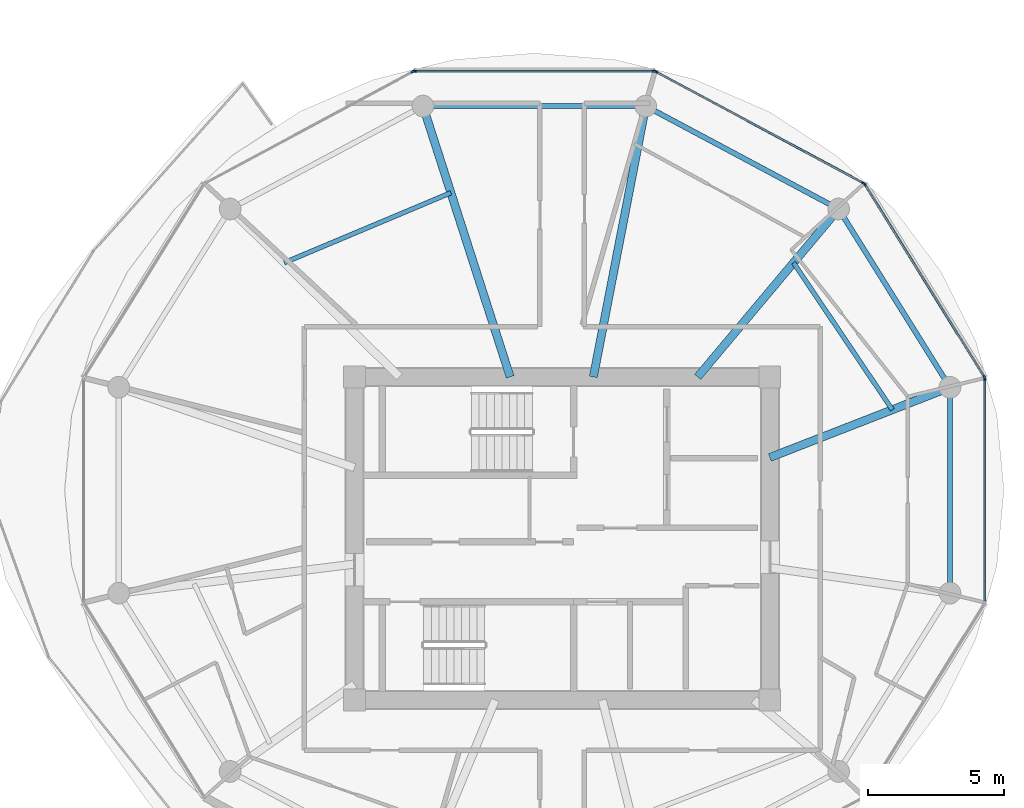
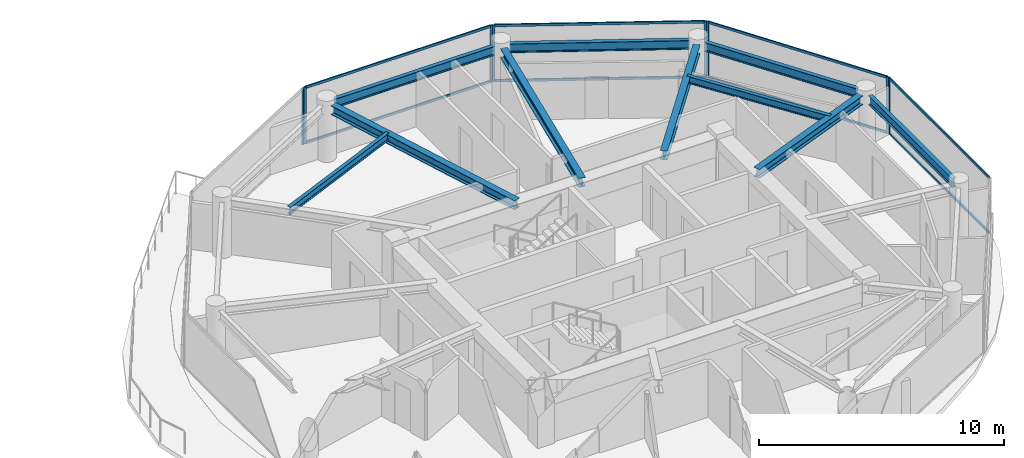
# One storey, part 11 of 22: 16 members, 10 beams, 5 elements without a shape of their own.
"""IFC4 building model written with IfcOpenShell, lengths in metres."""

from ifc_helpers import new_model, si_unit, direction, frame, origin, origin_2d, place, context, subcontext, project, spatial, rectangle, i_section, extrude, source, transform, mapped, material, layer, layer_set, material_profile, profile_set, type_object, type_shapes, element, aggregate, save


model = new_model("IFC4")

# Units and contexts
model_context = context("Model", 3, precision=1e-05, world=origin(), true_north=direction((0.0, 1.0)))
body_context = subcontext(model_context, "Body", "Model", "MODEL_VIEW")
ifc_project = project(units=[si_unit("LENGTHUNIT", "METRE"), si_unit("AREAUNIT", "SQUARE_METRE"), si_unit("VOLUMEUNIT", "CUBIC_METRE"), si_unit("PLANEANGLEUNIT", "RADIAN"), si_unit("MASSUNIT", "GRAM", prefix="KILO")], contexts=[model_context])

# Site, building, storey
site_placement = place(None, origin())
site = spatial("IfcSite", under=ifc_project, at=site_placement, CompositionType="ELEMENT")
building_placement = place(site_placement, origin())
building = spatial("IfcBuilding", under=site, at=building_placement, Name="Norrkilde Senior Care Towers", CompositionType="ELEMENT")
storey_placement = place(building_placement, frame((0.0, 0.0, 137.35009765625)))
storey = spatial("IfcBuildingStorey", under=building, at=storey_placement, Name="L42", CompositionType="ELEMENT", Elevation=137.35009765625)

# Beams
ifc_material_1 = material(Name="Steel S355", Category="steel")
ifc_material_profile_1 = material_profile(ifc_material_1, i_section(OverallWidth=0.18994140625, OverallDepth=0.449951171875, WebThickness=0.009521484375, FlangeThickness=0.0146484375, FilletRadius=0.02099609375, at=origin_2d()), Name="IPE 450")
ifc_profile_set_1 = profile_set([ifc_material_profile_1], Name="Steel S355")
beam_type_1 = type_object("IfcBeamType", Name="Perimeter Ring Spandrel Z3 IPE450", PredefinedType="SPANDREL", material=ifc_profile_set_1)
shared_shape_1 = source(origin(), body_context, "Body", "SweptSolid", [
    extrude(i_section(OverallWidth=0.18994140625, OverallDepth=0.449951171875, WebThickness=0.009521484375, FlangeThickness=0.0146484375, FilletRadius=0.02099609375, at=origin_2d()), origin(), (0.0, 0.0, 1.0), 7.0234375),
])
beam_1_placement = place(storey_placement, frame((42.09423828125, 5.872314453125, 2.5849609375), z_axis=(-0.529789577822, 0.848129119433, 0.0), x_axis=(-0.848129119433, -0.529789577822, 0.0)))
element("IfcBeam", 1, at=beam_1_placement, inside=storey, type_object=beam_type_1, Name="L42 Drum E Perimeter Spandrel 01", PredefinedType="SPANDREL", context=body_context, shape_type="MappedRepresentation", body=[
    mapped(shared_shape_1, transform((0.0, 0.0, 0.0), x_axis=(1.0, 0.0, 0.0), y_axis=(0.0, 1.0, 0.0), z_axis=(0.0, 0.0, 1.0), scale=1.0)),
])
shared_shape_2 = source(origin(), body_context, "Body", "SweptSolid", [
    extrude(i_section(OverallWidth=0.18994140625, OverallDepth=0.449951171875, WebThickness=0.009521484375, FlangeThickness=0.0146484375, FilletRadius=0.02099609375, at=origin_2d()), origin(), (0.0, 0.0, 1.0), 7.333740234375),
])
beam_2_placement = place(storey_placement, frame((37.864990234375, 12.303955078125, 2.5849609375), z_axis=(-0.882247866069, 0.470785198172, 0.0), x_axis=(-0.470785198172, -0.882247866069, 0.0)))
element("IfcBeam", 2, at=beam_2_placement, inside=storey, type_object=beam_type_1, Name="L42 Drum E Perimeter Spandrel 02", PredefinedType="SPANDREL", context=body_context, shape_type="MappedRepresentation", body=[
    mapped(shared_shape_2, transform((0.0, 0.0, 0.0), x_axis=(1.0, 0.0, 0.0), y_axis=(0.0, 1.0, 0.0), z_axis=(0.0, 0.0, 1.0), scale=1.0)),
])
shared_shape_3 = source(origin(), body_context, "Body", "SweptSolid", [
    extrude(i_section(OverallWidth=0.18994140625, OverallDepth=0.449951171875, WebThickness=0.009521484375, FlangeThickness=0.0146484375, FilletRadius=0.02099609375, at=origin_2d()), origin(), (0.0, 0.0, 1.0), 7.484619140625),
])
beam_3_placement = place(storey_placement, frame((30.71728515625, 15.92626953125, 2.5849609375), z_axis=(-1.0, 0.0, 0.0), x_axis=(0.0, -1.0, 0.0)))
element("IfcBeam", 3, at=beam_3_placement, inside=storey, type_object=beam_type_1, Name="L42 Drum E Perimeter Spandrel 03", PredefinedType="SPANDREL", context=body_context, shape_type="MappedRepresentation", body=[
    mapped(shared_shape_3, transform((0.0, 0.0, 0.0), x_axis=(1.0, 0.0, 0.0), y_axis=(0.0, 1.0, 0.0), z_axis=(0.0, 0.0, 1.0), scale=1.0)),
])
ifc_material_profile_2 = material_profile(ifc_material_1, i_section(OverallWidth=0.300048828125, OverallDepth=0.449951171875, WebThickness=0.013916015625, FlangeThickness=0.02587890625, FilletRadius=0.027099609375, at=origin_2d()), Name="HEB 450")
ifc_profile_set_2 = profile_set([ifc_material_profile_2], Name="Steel S355")
beam_type_2 = type_object("IfcBeamType", Name="Radial Floor Beam Z3 HEB450", PredefinedType="BEAM", material=ifc_profile_set_2)
shared_shape_4 = source(origin(), body_context, "Body", "SweptSolid", [
    extrude(i_section(OverallWidth=0.300048828125, OverallDepth=0.449951171875, WebThickness=0.013916015625, FlangeThickness=0.02587890625, FilletRadius=0.027099609375, at=origin_2d()), origin(), (0.0, 0.0, 1.0), 10.120361328125),
])
beam_4_placement = place(storey_placement, frame((26.08447265625, 5.949951171875, 2.5849609375), z_axis=(-0.306440973744, 0.951889662519, 0.0), x_axis=(-0.951889662519, -0.306440973744, 0.0)))
element("IfcBeam", 4, at=beam_4_placement, inside=storey, type_object=beam_type_2, Name="L42 Drum E Radial Floor Beam 04", PredefinedType="BEAM", context=body_context, shape_type="MappedRepresentation", body=[
    mapped(shared_shape_4, transform((0.0, 0.0, 0.0), x_axis=(1.0, 0.0, 0.0), y_axis=(0.0, 1.0, 0.0), z_axis=(0.0, 0.0, 1.0), scale=1.0)),
])
shared_shape_5 = source(origin(), body_context, "Body", "SweptSolid", [
    extrude(i_section(OverallWidth=0.300048828125, OverallDepth=0.449951171875, WebThickness=0.013916015625, FlangeThickness=0.02587890625, FilletRadius=0.027099609375, at=origin_2d()), origin(), (0.0, 0.0, 1.0), 9.80078125),
])
beam_5_placement = place(storey_placement, frame((29.149658203125, 5.949951171875, 2.5849609375), z_axis=(0.189716727661, 0.98183886827, 0.0), x_axis=(-0.98183886827, 0.189716727661, 0.0)))
element("IfcBeam", 5, at=beam_5_placement, inside=storey, type_object=beam_type_2, Name="L42 Drum E Radial Floor Beam 03", PredefinedType="BEAM", context=body_context, shape_type="MappedRepresentation", body=[
    mapped(shared_shape_5, transform((0.0, 0.0, 0.0), x_axis=(1.0, 0.0, 0.0), y_axis=(0.0, 1.0, 0.0), z_axis=(0.0, 0.0, 1.0), scale=1.0)),
])
shared_shape_6 = source(origin(), body_context, "Body", "SweptSolid", [
    extrude(i_section(OverallWidth=0.300048828125, OverallDepth=0.449951171875, WebThickness=0.013916015625, FlangeThickness=0.02587890625, FilletRadius=0.027099609375, at=origin_2d()), origin(), (0.0, 0.0, 1.0), 7.71337890625),
])
beam_6_placement = place(storey_placement, frame((32.992919921875, 5.949951171875, 2.5849609375), z_axis=(0.642808239864, 0.766027131872, 0.0), x_axis=(-0.766027131872, 0.642808239864, 0.0)))
element("IfcBeam", 6, at=beam_6_placement, inside=storey, type_object=beam_type_2, Name="L42 Drum E Radial Floor Beam 02", PredefinedType="BEAM", context=body_context, shape_type="MappedRepresentation", body=[
    mapped(shared_shape_6, transform((0.0, 0.0, 0.0), x_axis=(1.0, 0.0, 0.0), y_axis=(0.0, 1.0, 0.0), z_axis=(0.0, 0.0, 1.0), scale=1.0)),
])
shared_shape_7 = source(origin(), body_context, "Body", "SweptSolid", [
    extrude(i_section(OverallWidth=0.18994140625, OverallDepth=0.449951171875, WebThickness=0.009521484375, FlangeThickness=0.0146484375, FilletRadius=0.02099609375, at=origin_2d()), origin(), (0.0, 0.0, 1.0), 6.86328125),
])
type_shapes(beam_type_1, [shared_shape_1, shared_shape_2, shared_shape_3, shared_shape_7])
beam_7_placement = place(storey_placement, frame((42.284912109375, -1.65625, 2.5849609375), z_axis=(0.0, 1.0, 0.0), x_axis=(-1.0, 0.0, 0.0)))
element("IfcBeam", 7, at=beam_7_placement, inside=storey, type_object=beam_type_1, Name="L42 Drum E Perimeter Spandrel 12", PredefinedType="SPANDREL", context=body_context, shape_type="MappedRepresentation", body=[
    mapped(shared_shape_7, transform((0.0, 0.0, 0.0), x_axis=(1.0, 0.0, 0.0), y_axis=(0.0, 1.0, 0.0), z_axis=(0.0, 0.0, 1.0), scale=1.0)),
])
shared_shape_8 = source(origin(), body_context, "Body", "SweptSolid", [
    extrude(i_section(OverallWidth=0.300048828125, OverallDepth=0.449951171875, WebThickness=0.013916015625, FlangeThickness=0.02587890625, FilletRadius=0.027099609375, at=origin_2d()), origin(), (0.0, 0.0, 1.0), 6.760986328125),
])
type_shapes(beam_type_2, [shared_shape_4, shared_shape_5, shared_shape_6, shared_shape_8])
beam_8_placement = place(storey_placement, frame((35.64990234375, 2.981201171875, 2.5849609375), z_axis=(0.931742171387, 0.363120539297, 0.0), x_axis=(-0.363120539297, 0.931742171387, 0.0)))
element("IfcBeam", 8, at=beam_8_placement, inside=storey, type_object=beam_type_2, Name="L42 Drum E Radial Floor Beam 01", PredefinedType="BEAM", context=body_context, shape_type="MappedRepresentation", body=[
    mapped(shared_shape_8, transform((0.0, 0.0, 0.0), x_axis=(1.0, 0.0, 0.0), y_axis=(0.0, 1.0, 0.0), z_axis=(0.0, 0.0, 1.0), scale=1.0)),
])
ifc_material_profile_3 = material_profile(ifc_material_1, i_section(OverallWidth=0.169921875, OverallDepth=0.360107421875, WebThickness=0.008056640625, FlangeThickness=0.0126953125, FilletRadius=0.01806640625, at=origin_2d()), Name="IPE 360")
ifc_profile_set_3 = profile_set([ifc_material_profile_3], Name="Steel S355")
beam_type_3 = type_object("IfcBeamType", Name="Secondary Floor Joist IPE360", PredefinedType="JOIST", material=ifc_profile_set_3)
shared_shape_9 = source(origin(), body_context, "Body", "SweptSolid", [
    extrude(i_section(OverallWidth=0.169921875, OverallDepth=0.360107421875, WebThickness=0.008056640625, FlangeThickness=0.0126953125, FilletRadius=0.01806640625, at=origin_2d()), origin(), (0.0, 0.0, 1.0), 6.657470703125),
])
beam_9_placement = place(storey_placement, frame((23.900390625, 12.73388671875, 2.6298828125), z_axis=(-0.921958799252, -0.387287971, 0.0), x_axis=(0.387287971, -0.921958799252, 0.0)))
element("IfcBeam", 9, at=beam_9_placement, inside=storey, type_object=beam_type_3, Name="L42 Drum E Secondary Floor Joist 2", PredefinedType="JOIST", context=body_context, shape_type="MappedRepresentation", body=[
    mapped(shared_shape_9, transform((0.0, 0.0, 0.0), x_axis=(1.0, 0.0, 0.0), y_axis=(0.0, 1.0, 0.0), z_axis=(0.0, 0.0, 1.0), scale=1.0)),
])
shared_shape_10 = source(origin(), body_context, "Body", "SweptSolid", [
    extrude(i_section(OverallWidth=0.169921875, OverallDepth=0.360107421875, WebThickness=0.008056640625, FlangeThickness=0.0126953125, FilletRadius=0.01806640625, at=origin_2d()), origin(), (0.0, 0.0, 1.0), 6.525390625),
])
type_shapes(beam_type_3, [shared_shape_9, shared_shape_10])
beam_10_placement = place(storey_placement, frame((40.161865234375, 4.739501953125, 2.6298828125), z_axis=(-0.55779590102, 0.829978152005, 0.0), x_axis=(-0.829978152005, -0.55779590102, 0.0)))
element("IfcBeam", 10, at=beam_10_placement, inside=storey, type_object=beam_type_3, Name="L42 Drum E Secondary Floor Joist 1", PredefinedType="JOIST", context=body_context, shape_type="MappedRepresentation", body=[
    mapped(shared_shape_10, transform((0.0, 0.0, 0.0), x_axis=(1.0, 0.0, 0.0), y_axis=(0.0, 1.0, 0.0), z_axis=(0.0, 0.0, 1.0), scale=1.0)),
])

# Curtain wall, members
ifc_material_2 = material(Name="Triple Low-E Insulated Glazing", Category="glass")
ifc_layer = layer(ifc_material_2, 0.18994140625)
ifc_layer_set = layer_set([ifc_layer], Name="Triple Low-E Insulated Glazing")
curtain_wall_type = type_object("IfcCurtainWallType", Name="CW4 Zone 3 Senior Residence Curtain Wall", PredefinedType="NOTDEFINED", material=ifc_layer_set)
curtain_wall_1_placement = place(storey_placement, origin())
curtain_wall_1 = element("IfcCurtainWall", 11, at=curtain_wall_1_placement, inside=storey, type_object=curtain_wall_type, Name="L42 Drum E Curtain Wall 00", PredefinedType="NOTDEFINED")
ifc_material_3 = material(Name="Anodised Aluminium", Category="aluminium")
ifc_material_profile_4 = material_profile(ifc_material_3, rectangle(XDim=0.06005859375, YDim=0.1201171875, at=origin_2d()), Name="ALU TRAN 60x120")
ifc_profile_set_4 = profile_set([ifc_material_profile_4], Name="Anodised Aluminium")
member_type_1 = type_object("IfcMemberType", Name="Curtain Wall Transom Typical 60x120", PredefinedType="USERDEFINED", material=ifc_profile_set_4)
shared_shape_11 = source(origin(), body_context, "Body", "SweptSolid", [
    extrude(rectangle(XDim=0.06005859375, YDim=0.1201171875, at=origin_2d()), origin(), (0.0, 0.0, 1.0), 8.301513671875),
])
member_1_placement = place(storey_placement, frame((39.157470703125, 13.019775390625, 0.02978515625), z_axis=(0.527368718394, -0.849636531029, 0.0), x_axis=(0.849636531029, 0.527368718394, 0.0)))
member_1 = element("IfcMember", 12, at=member_1_placement, type_object=member_type_1, Name="CW-4 transom 1.1", ObjectType="TRANSOM", PredefinedType="USERDEFINED", context=body_context, shape_type="MappedRepresentation", body=[
    mapped(shared_shape_11, transform((0.0, 0.0, 0.0), x_axis=(1.0, 0.0, 0.0), y_axis=(0.0, 1.0, 0.0), z_axis=(0.0, 0.0, 1.0), scale=1.0)),
])
member_2_placement = place(storey_placement, frame((39.157470703125, 13.019775390625, 2.77978515625), z_axis=(0.527368718394, -0.849636531029, 0.0), x_axis=(0.849636531029, 0.527368718394, 0.0)))
member_2 = element("IfcMember", 13, at=member_2_placement, type_object=member_type_1, Name="CW-4 transom 1.2", ObjectType="TRANSOM", PredefinedType="USERDEFINED", context=body_context, shape_type="MappedRepresentation", body=[
    mapped(shared_shape_11, transform((0.0, 0.0, 0.0), x_axis=(1.0, 0.0, 0.0), y_axis=(0.0, 1.0, 0.0), z_axis=(0.0, 0.0, 1.0), scale=1.0)),
])

curtain_wall_2_placement = place(storey_placement, origin())
curtain_wall_2 = element("IfcCurtainWall", 14, at=curtain_wall_2_placement, inside=storey, type_object=curtain_wall_type, Name="L42 Drum E Curtain Wall 02", PredefinedType="NOTDEFINED")
shared_shape_12 = source(origin(), body_context, "Body", "SweptSolid", [
    extrude(rectangle(XDim=0.06005859375, YDim=0.1201171875, at=origin_2d()), origin(), (0.0, 0.0, 1.0), 8.762939453125),
])
member_3_placement = place(storey_placement, frame((22.593505859375, 17.2109375, 0.02978515625), z_axis=(1.0, 0.0, 0.0), x_axis=(0.0, 1.0, 0.0)))
member_3 = element("IfcMember", 15, at=member_3_placement, type_object=member_type_1, Name="CW-4 transom 1.1", ObjectType="TRANSOM", PredefinedType="USERDEFINED", context=body_context, shape_type="MappedRepresentation", body=[
    mapped(shared_shape_12, transform((0.0, 0.0, 0.0), x_axis=(1.0, 0.0, 0.0), y_axis=(0.0, 1.0, 0.0), z_axis=(0.0, 0.0, 1.0), scale=1.0)),
])
member_4_placement = place(storey_placement, frame((22.593505859375, 17.2109375, 2.77978515625), z_axis=(1.0, 0.0, 0.0), x_axis=(0.0, 1.0, 0.0)))
member_4 = element("IfcMember", 16, at=member_4_placement, type_object=member_type_1, Name="CW-4 transom 1.2", ObjectType="TRANSOM", PredefinedType="USERDEFINED", context=body_context, shape_type="MappedRepresentation", body=[
    mapped(shared_shape_12, transform((0.0, 0.0, 0.0), x_axis=(1.0, 0.0, 0.0), y_axis=(0.0, 1.0, 0.0), z_axis=(0.0, 0.0, 1.0), scale=1.0)),
])

curtain_wall_3_placement = place(storey_placement, origin())
curtain_wall_3 = element("IfcCurtainWall", 17, at=curtain_wall_3_placement, inside=storey, type_object=curtain_wall_type, Name="L42 Drum E Curtain Wall 01", PredefinedType="NOTDEFINED")
shared_shape_13 = source(origin(), body_context, "Body", "SweptSolid", [
    extrude(rectangle(XDim=0.06005859375, YDim=0.1201171875, at=origin_2d()), origin(), (0.0, 0.0, 1.0), 8.612060546875),
])
member_5_placement = place(storey_placement, frame((31.478759765625, 17.18017578125, 0.02978515625), z_axis=(0.881000337462, -0.473115636384, 0.0), x_axis=(0.473115636384, 0.881000337462, 0.0)))
member_5 = element("IfcMember", 18, at=member_5_placement, type_object=member_type_1, Name="CW-4 transom 1.1", ObjectType="TRANSOM", PredefinedType="USERDEFINED", context=body_context, shape_type="MappedRepresentation", body=[
    mapped(shared_shape_13, transform((0.0, 0.0, 0.0), x_axis=(1.0, 0.0, 0.0), y_axis=(0.0, 1.0, 0.0), z_axis=(0.0, 0.0, 1.0), scale=1.0)),
])
member_6_placement = place(storey_placement, frame((31.478759765625, 17.18017578125, 2.77978515625), z_axis=(0.881000337462, -0.473115636384, 0.0), x_axis=(0.473115636384, 0.881000337462, 0.0)))
member_6 = element("IfcMember", 19, at=member_6_placement, type_object=member_type_1, Name="CW-4 transom 1.2", ObjectType="TRANSOM", PredefinedType="USERDEFINED", context=body_context, shape_type="MappedRepresentation", body=[
    mapped(shared_shape_13, transform((0.0, 0.0, 0.0), x_axis=(1.0, 0.0, 0.0), y_axis=(0.0, 1.0, 0.0), z_axis=(0.0, 0.0, 1.0), scale=1.0)),
])

curtain_wall_4_placement = place(storey_placement, origin())
curtain_wall_4 = element("IfcCurtainWall", 20, at=curtain_wall_4_placement, inside=storey, type_object=curtain_wall_type, Name="L42 Drum E Curtain Wall 11", PredefinedType="NOTDEFINED")
shared_shape_14 = source(origin(), body_context, "Body", "SweptSolid", [
    extrude(rectangle(XDim=0.06005859375, YDim=0.1201171875, at=origin_2d()), origin(), (0.0, 0.0, 1.0), 8.141845703125),
])
type_shapes(member_type_1, [shared_shape_11, shared_shape_12, shared_shape_13, shared_shape_14])
member_7_placement = place(storey_placement, frame((43.569580078125, 5.84619140625, 0.02978515625), z_axis=(0.0, -1.0, 0.0), x_axis=(1.0, 0.0, 0.0)))
member_7 = element("IfcMember", 21, at=member_7_placement, type_object=member_type_1, Name="CW-4 transom 1.1", ObjectType="TRANSOM", PredefinedType="USERDEFINED", context=body_context, shape_type="MappedRepresentation", body=[
    mapped(shared_shape_14, transform((0.0, 0.0, 0.0), x_axis=(1.0, 0.0, 0.0), y_axis=(0.0, 1.0, 0.0), z_axis=(0.0, 0.0, 1.0), scale=1.0)),
])
member_8_placement = place(storey_placement, frame((43.569580078125, 5.84619140625, 2.77978515625), z_axis=(0.0, -1.0, 0.0), x_axis=(1.0, 0.0, 0.0)))
member_8 = element("IfcMember", 22, at=member_8_placement, type_object=member_type_1, Name="CW-4 transom 1.2", ObjectType="TRANSOM", PredefinedType="USERDEFINED", context=body_context, shape_type="MappedRepresentation", body=[
    mapped(shared_shape_14, transform((0.0, 0.0, 0.0), x_axis=(1.0, 0.0, 0.0), y_axis=(0.0, 1.0, 0.0), z_axis=(0.0, 0.0, 1.0), scale=1.0)),
])

# Member
ifc_material_profile_5 = material_profile(ifc_material_3, rectangle(XDim=0.06494140625, YDim=0.14990234375, at=origin_2d()), Name="ALU MULL 65x150")
ifc_profile_set_5 = profile_set([ifc_material_profile_5], Name="Anodised Aluminium")
member_type_2 = type_object("IfcMemberType", Name="Curtain Wall Mullion Z3-Z4 65x150", PredefinedType="MULLION", material=ifc_profile_set_5)
shared_shape_15 = source(origin(), body_context, "Body", "SweptSolid", [
    extrude(rectangle(XDim=0.06494140625, YDim=0.14990234375, at=origin_2d()), origin(), (0.0, 0.0, 1.0), 2.809814453125),
])
type_shapes(member_type_2, [shared_shape_15])
member_9_placement = place(storey_placement, frame((39.14013671875, 13.04736328125, 0.0), z_axis=(0.0, 0.0, 1.0), x_axis=(0.84963405474, 0.52737270789, 0.0)))
member_9 = element("IfcMember", 23, at=member_9_placement, type_object=member_type_2, Name="CW-4 mullion 1", PredefinedType="MULLION", context=body_context, shape_type="MappedRepresentation", body=[
    mapped(shared_shape_15, transform((0.0, 0.0, 0.0), x_axis=(1.0, 0.0, 0.0), y_axis=(0.0, 1.0, 0.0), z_axis=(0.0, 0.0, 1.0), scale=1.0)),
])

member_10_placement = place(storey_placement, frame((43.552490234375, 5.93896484375, 0.0), z_axis=(0.0, 0.0, 1.0), x_axis=(0.84963405474, 0.52737270789, 0.0)))
member_10 = element("IfcMember", 24, at=member_10_placement, type_object=member_type_2, Name="CW-4 mullion 2", PredefinedType="MULLION", context=body_context, shape_type="MappedRepresentation", body=[
    mapped(shared_shape_15, transform((0.0, 0.0, 0.0), x_axis=(1.0, 0.0, 0.0), y_axis=(0.0, 1.0, 0.0), z_axis=(0.0, 0.0, 1.0), scale=1.0)),
])

aggregate(curtain_wall_1, [member_9, member_10, member_1, member_2])

member_11_placement = place(storey_placement, frame((31.4501953125, 17.195556640625, 0.0), z_axis=(0.0, 0.0, 1.0), x_axis=(0.47311715104, 0.880999524059, 0.0)))
member_11 = element("IfcMember", 25, at=member_11_placement, type_object=member_type_2, Name="CW-4 mullion 1", PredefinedType="MULLION", context=body_context, shape_type="MappedRepresentation", body=[
    mapped(shared_shape_15, transform((0.0, 0.0, 0.0), x_axis=(1.0, 0.0, 0.0), y_axis=(0.0, 1.0, 0.0), z_axis=(0.0, 0.0, 1.0), scale=1.0)),
])

member_12_placement = place(storey_placement, frame((39.094482421875, 13.09033203125, 0.0), z_axis=(0.0, 0.0, 1.0), x_axis=(0.47311715104, 0.880999524059, 0.0)))
member_12 = element("IfcMember", 26, at=member_12_placement, type_object=member_type_2, Name="CW-4 mullion 2", PredefinedType="MULLION", context=body_context, shape_type="MappedRepresentation", body=[
    mapped(shared_shape_15, transform((0.0, 0.0, 0.0), x_axis=(1.0, 0.0, 0.0), y_axis=(0.0, 1.0, 0.0), z_axis=(0.0, 0.0, 1.0), scale=1.0)),
])

aggregate(curtain_wall_3, [member_11, member_12, member_5, member_6])

member_13_placement = place(storey_placement, frame((22.56103515625, 17.2109375, 0.0), z_axis=(0.0, 0.0, 1.0), x_axis=(0.0, 1.0, 0.0)))
member_13 = element("IfcMember", 27, at=member_13_placement, type_object=member_type_2, Name="CW-4 mullion 1", PredefinedType="MULLION", context=body_context, shape_type="MappedRepresentation", body=[
    mapped(shared_shape_15, transform((0.0, 0.0, 0.0), x_axis=(1.0, 0.0, 0.0), y_axis=(0.0, 1.0, 0.0), z_axis=(0.0, 0.0, 1.0), scale=1.0)),
])

member_14_placement = place(storey_placement, frame((31.388916015625, 17.2109375, 0.0), z_axis=(0.0, 0.0, 1.0), x_axis=(0.0, 1.0, 0.0)))
member_14 = element("IfcMember", 28, at=member_14_placement, type_object=member_type_2, Name="CW-4 mullion 2", PredefinedType="MULLION", context=body_context, shape_type="MappedRepresentation", body=[
    mapped(shared_shape_15, transform((0.0, 0.0, 0.0), x_axis=(1.0, 0.0, 0.0), y_axis=(0.0, 1.0, 0.0), z_axis=(0.0, 0.0, 1.0), scale=1.0)),
])

aggregate(curtain_wall_2, [member_13, member_14, member_3, member_4])

# Curtain wall, member
curtain_wall_5_placement = place(storey_placement, origin())
curtain_wall_5 = element("IfcCurtainWall", 29, at=curtain_wall_5_placement, inside=storey, type_object=curtain_wall_type, Name="L42 Drum E Curtain Wall 03", PredefinedType="NOTDEFINED")
member_15_placement = place(storey_placement, frame((22.499755859375, 17.195556640625, 0.0), z_axis=(0.0, 0.0, 1.0), x_axis=(-0.47311715104, 0.880999524059, 0.0)))
member_15 = element("IfcMember", 30, at=member_15_placement, type_object=member_type_2, Name="CW-4 mullion 2", PredefinedType="MULLION", context=body_context, shape_type="MappedRepresentation", body=[
    mapped(shared_shape_15, transform((0.0, 0.0, 0.0), x_axis=(1.0, 0.0, 0.0), y_axis=(0.0, 1.0, 0.0), z_axis=(0.0, 0.0, 1.0), scale=1.0)),
])
aggregate(curtain_wall_5, [member_15])

# Member
member_16_placement = place(storey_placement, frame((43.569580078125, 5.878662109375, 0.0), z_axis=(0.0, 0.0, 1.0), x_axis=(1.0, 0.0, 0.0)))
member_16 = element("IfcMember", 31, at=member_16_placement, type_object=member_type_2, Name="CW-4 mullion 1", PredefinedType="MULLION", context=body_context, shape_type="MappedRepresentation", body=[
    mapped(shared_shape_15, transform((0.0, 0.0, 0.0), x_axis=(1.0, 0.0, 0.0), y_axis=(0.0, 1.0, 0.0), z_axis=(0.0, 0.0, 1.0), scale=1.0)),
])

aggregate(curtain_wall_4, [member_16, member_7, member_8])

save(model, "model.ifc")
